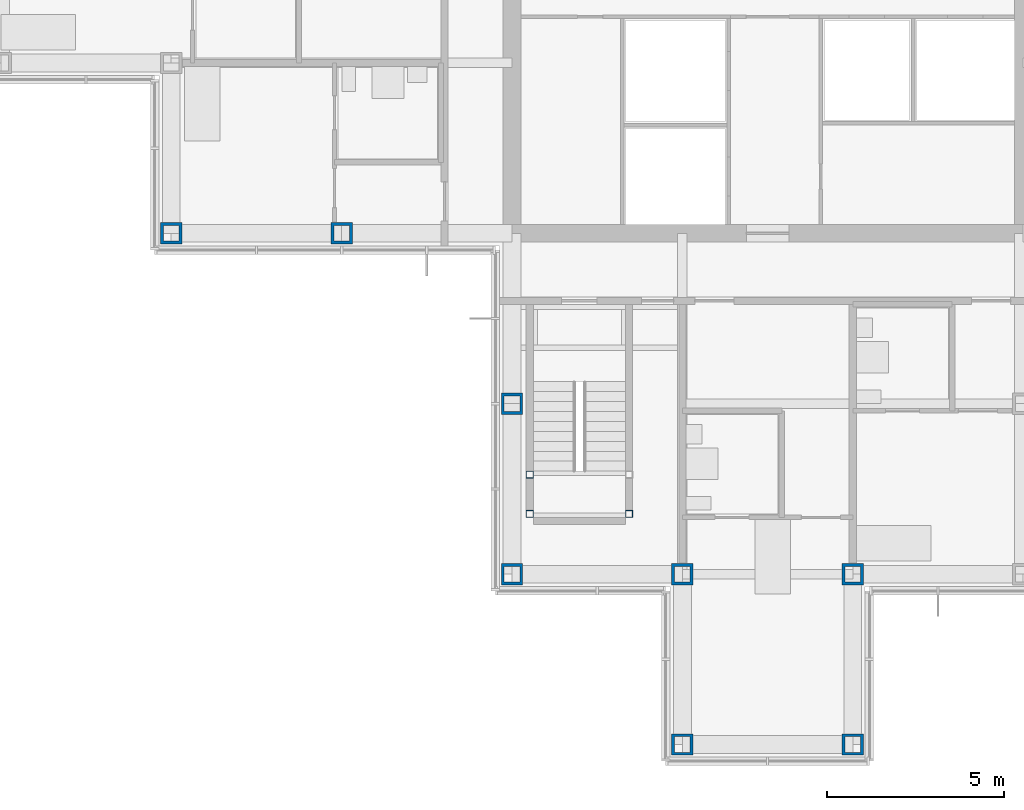
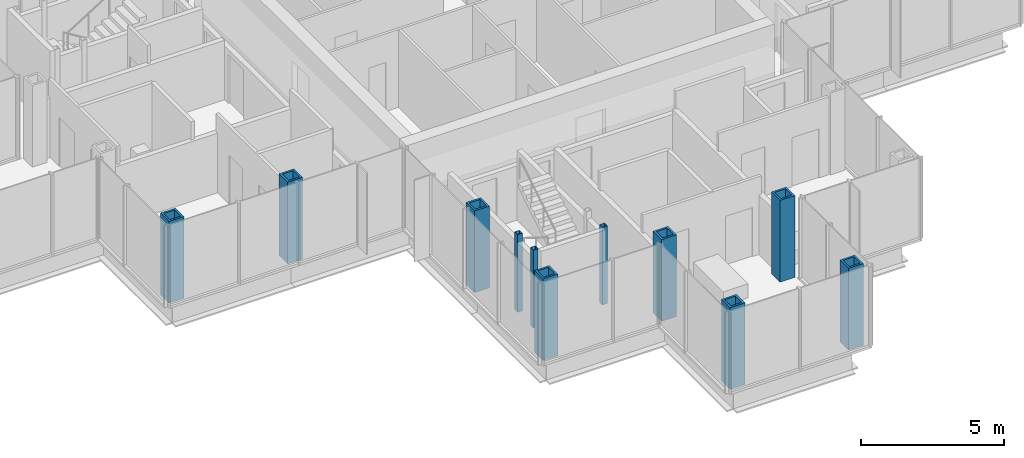
# One storey, part 1 of 17: 11 columns.
"""IFC4 building model written with IfcOpenShell, lengths in metres."""

import ifcopenshell
import ifcopenshell.guid

model = None  # the IFC model being written
_history = None  # IfcOwnerHistory: only IFC2X3 demands one
_inside = {}  # id of a spatial element -> (the spatial element, [elements in it])
_under = {}  # id of a project, library or spatial element -> (it, [spatial elements below it])
_declared = {}  # id of a project -> (the project, [libraries it declares])
_typed = {}  # id of a type object -> (the type object, [elements of that type])
_made_of = {}  # id of a material, layer set ... -> (it, [elements and type objects made of it])


def new_model(schema):
    """Start an empty IFC model of exactly this schema.

    Asked for "IFC4X3", IfcOpenShell would pick the latest addendum, in which some entities
    have other attributes; the version numbers below select the first issue.
    IFC2X3 requires an IfcOwnerHistory on every rooted entity: one is made here for all.
    """
    global model, _history
    if schema == "IFC4X3":
        model = ifcopenshell.file(schema_version=(4, 3, 0, 0))
    else:
        model = ifcopenshell.file(schema=schema)
    _inside.clear()
    _under.clear()
    _declared.clear()
    _typed.clear()
    _made_of.clear()
    _history = None
    if model.schema == "IFC2X3":
        org = make("IfcOrganization", Name="unknown")
        user = make(
            "IfcPersonAndOrganization",
            ThePerson=make("IfcPerson", FamilyName="unknown"),
            TheOrganization=org,
        )
        app = make(
            "IfcApplication",
            ApplicationDeveloper=org,
            Version="unknown",
            ApplicationFullName="unknown",
            ApplicationIdentifier="unknown",
        )
        _history = make(
            "IfcOwnerHistory",
            OwningUser=user,
            OwningApplication=app,
            ChangeAction="ADDED",
            CreationDate=0,
        )
    return model


def make(cls, **values):
    """One entity of the class cls with the attributes given. An attribute that is None is left unset."""
    return model.create_entity(
        cls, **{name: value for name, value in values.items() if value is not None}
    )


def rooted(cls, **values):
    """An entity with a GlobalId (a new one), such as an element, a storey or a relation."""
    return make(cls, GlobalId=ifcopenshell.guid.new(), OwnerHistory=_history, **values)


def si_unit(unit_type, name, prefix=None):
    """IfcSIUnit, for example si_unit("LENGTHUNIT", "METRE", prefix="MILLI")."""
    return make("IfcSIUnit", UnitType=unit_type, Prefix=prefix, Name=name)


def assignment(units):
    """IfcUnitAssignment: the units of a project."""
    return None if units is None else make("IfcUnitAssignment", Units=units)


def point(xyz):
    """IfcCartesianPoint."""
    return None if xyz is None else make("IfcCartesianPoint", Coordinates=xyz)


def direction(xyz):
    """IfcDirection."""
    return None if xyz is None else make("IfcDirection", DirectionRatios=xyz)


def frame(location, z_axis=None, x_axis=None):
    """IfcAxis2Placement3D, a coordinate frame: its origin and axes. An axis left out is left unset."""
    return make(
        "IfcAxis2Placement3D",
        Location=point(location),
        Axis=direction(z_axis),
        RefDirection=direction(x_axis),
    )


def frame_2d(location, x_axis=None):
    """IfcAxis2Placement2D, a coordinate frame in the plane: its origin and x axis."""
    return make(
        "IfcAxis2Placement2D", Location=point(location), RefDirection=direction(x_axis)
    )


def origin():
    """The frame at (0, 0, 0) with its axes left unset."""
    return frame((0.0, 0.0, 0.0))


def origin_2d():
    """The frame at (0, 0) in the plane with its x axis left unset."""
    return frame_2d((0.0, 0.0))


def place(relative_to, where):
    """IfcLocalPlacement: puts the frame where relative to a parent placement (None: the world)."""
    return make(
        "IfcLocalPlacement", PlacementRelTo=relative_to, RelativePlacement=where
    )


def context(
    kind, dimensions, precision=None, world=None, true_north=None, identifier=None
):
    """IfcGeometricRepresentationContext, for example the 3D "Model" context."""
    return make(
        "IfcGeometricRepresentationContext",
        ContextIdentifier=identifier,
        ContextType=kind,
        CoordinateSpaceDimension=dimensions,
        Precision=precision,
        WorldCoordinateSystem=world,
        TrueNorth=true_north,
    )


def subcontext(parent, identifier, kind, view, scale=None):
    """IfcGeometricRepresentationSubContext, for example "Body" below "Model"."""
    return make(
        "IfcGeometricRepresentationSubContext",
        ContextIdentifier=identifier,
        ContextType=kind,
        ParentContext=parent,
        TargetScale=scale,
        TargetView=view,
    )


def project(units=None, contexts=None):
    """IfcProject with its units and contexts."""
    return rooted(
        "IfcProject",
        Name="project",
        RepresentationContexts=contexts,
        UnitsInContext=assignment(units),
    )


def spatial(cls, under=None, at=None, **own):
    """A site, building, storey or space (cls), placed at a placement, below another one or the project."""
    s = rooted(cls, ObjectPlacement=at, **own)
    if under is not None:
        _under.setdefault(under.id(), (under, []))[1].append(s)
    return s


def profile(cls, at=None, kind="AREA", **sizes):
    """A parametric profile (cls). Its sizes go by their IFC names, for example OverallWidth=200.0."""
    return make(cls, ProfileType=kind, Position=at, **sizes)


def hollow_rectangle(**sizes):
    """IfcRectangleHollowProfileDef."""
    return profile("IfcRectangleHollowProfileDef", **sizes)


def extrude(swept, where, along, depth):
    """IfcExtrudedAreaSolid: the profile swept, set in the frame where, extruded along a direction by depth."""
    return make(
        "IfcExtrudedAreaSolid",
        SweptArea=swept,
        Position=where,
        ExtrudedDirection=direction(along),
        Depth=depth,
    )


def shape(context_of_items, identifier, shape_type, items):
    """IfcShapeRepresentation: the items that make up one representation, for example the "Body"."""
    return make(
        "IfcShapeRepresentation",
        ContextOfItems=context_of_items,
        RepresentationIdentifier=identifier,
        RepresentationType=shape_type,
        Items=items,
    )


def material(Name=None, Category=None):
    """IfcMaterial."""
    return make("IfcMaterial", Name=Name, Category=Category)


def material_profile(
    of_material, cross_section, Name=None, Category=None, Priority=None
):
    """IfcMaterialProfile: a cross section and its material."""
    return make(
        "IfcMaterialProfile",
        Name=Name,
        Material=of_material,
        Profile=cross_section,
        Priority=Priority,
        Category=Category,
    )


def profile_set(profiles, Name=None, composite=None):
    """IfcMaterialProfileSet."""
    return make(
        "IfcMaterialProfileSet",
        Name=Name,
        MaterialProfiles=profiles,
        CompositeProfile=composite,
    )


def made_of(thing, what):
    """Note that an element or type object is made of a material, layer set ...; save() writes the relation."""
    if what is not None:
        _made_of.setdefault(what.id(), (what, []))[1].append(thing)
    return thing


def type_object(cls, material=None, **own):
    """A type object (cls), such as IfcWallType, which elements share."""
    return made_of(rooted(cls, **own), material)


def element(
    cls,
    number,
    at=None,
    inside=None,
    cuts=None,
    type_object=None,
    material=None,
    context=None,
    identifier="Body",
    shape_type=None,
    held_by="IfcProductDefinitionShape",
    body=None,
    shapes=None,
    **own,
):
    """One element of the class cls, such as IfcWall. Its Tag is "e" and its number.

    at: its placement. inside: the storey or other place that contains it. cuts: it is an
    opening in that element (IfcRelVoidsElement). A single representation is given by context,
    identifier, shape_type and body (its items); several are given by shapes. held_by: the class
    of the entity that holds the representations. save() writes the other relations.
    """
    e = rooted(cls, Tag="e%d" % number, ObjectPlacement=at, **own)
    if body is not None:
        shapes = [shape(context, identifier, shape_type, body)]
    if shapes is not None:
        e.Representation = make(held_by, Representations=shapes)
    if inside is not None:
        _inside.setdefault(inside.id(), (inside, []))[1].append(e)
    if cuts is not None:
        rooted(
            "IfcRelVoidsElement", RelatingBuildingElement=cuts, RelatedOpeningElement=e
        )
    if type_object is not None:
        _typed.setdefault(type_object.id(), (type_object, []))[1].append(e)
    return made_of(e, material)


def aggregate(whole, parts):
    """IfcRelAggregates: a whole, such as a stair, and the parts it consists of."""
    return rooted("IfcRelAggregates", RelatingObject=whole, RelatedObjects=parts)


def save(model, path):
    """Write the relations noted so far, then the file.

    IfcRelAggregates (storeys below a building ...), IfcRelContainedInSpatialStructure (elements
    in a storey), IfcRelDefinesByType, IfcRelAssociatesMaterial and IfcRelDeclares: one each for
    every whole, place, type object, material and project.
    """
    for whole, parts in _under.values():
        aggregate(whole, parts)
    for where, things in _inside.values():
        rooted(
            "IfcRelContainedInSpatialStructure",
            RelatedElements=things,
            RelatingStructure=where,
        )
    for kind, things in _typed.values():
        rooted("IfcRelDefinesByType", RelatedObjects=things, RelatingType=kind)
    for what, things in _made_of.values():
        rooted("IfcRelAssociatesMaterial", RelatedObjects=things, RelatingMaterial=what)
    for by, libraries in _declared.values():
        rooted("IfcRelDeclares", RelatingContext=by, RelatedDefinitions=libraries)
    model.write(path)


model = new_model("IFC4")

# Units and contexts
model_context = context("Model", 3, precision=1e-05, world=origin(), true_north=direction((0.0, 1.0)))
body_context = subcontext(model_context, "Body", "Model", "MODEL_VIEW")
ifc_project = project(units=[si_unit("LENGTHUNIT", "METRE"), si_unit("AREAUNIT", "SQUARE_METRE"), si_unit("VOLUMEUNIT", "CUBIC_METRE"), si_unit("PLANEANGLEUNIT", "RADIAN"), si_unit("MASSUNIT", "GRAM", prefix="KILO")], contexts=[model_context])

# Site, building, storey
site_placement = place(None, origin())
site = spatial("IfcSite", under=ifc_project, at=site_placement, CompositionType="ELEMENT")
building_placement = place(site_placement, origin())
building = spatial("IfcBuilding", under=site, at=building_placement, Name="Kvirike Care Tower", CompositionType="ELEMENT")
storey_placement = place(building_placement, frame((0.0, 0.0, 179.5)))
storey = spatial("IfcBuildingStorey", under=building, at=storey_placement, Name="L49", CompositionType="ELEMENT", Elevation=179.5)

# Columns
ifc_material_1 = material(Name="Steel S460", Category="steel")
ifc_material_profile_1 = material_profile(ifc_material_1, hollow_rectangle(XDim=0.60009765625, YDim=0.60009765625, WallThickness=0.080078125, at=origin_2d()), Name="BX 600x600x80")
ifc_profile_set_1 = profile_set([ifc_material_profile_1], Name="Steel S460")
column_type_1 = type_object("IfcColumnType", Name="COLUMN BX 600x600x80", PredefinedType="COLUMN", material=ifc_profile_set_1)
for number, where, z_axis, x_axis, name in (
    (1, (4.800048828125, 28.800048828125, 0.0), (0.0, 0.0, 1.0), (0.0, 1.0, 0.0), "Column G4 L49"),
    (2, (9.60009765625, 28.800048828125, 0.0), (0.0, 0.0, 1.0), (0.0, 1.0, 0.0), "Column G5 L49"),
    (3, (14.39990234375, 19.199951171875, 0.0), (0.0, 0.0, 1.0), (0.0, 1.0, 0.0), "Column E6 L49"),
    (4, (14.39990234375, 24.0, 0.0), (0.0, 0.0, 1.0), (1.0, 0.0, 0.0), "Column F6 L49"),
    (5, (19.199951171875, 14.39990234375, 0.0), (0.0, 0.0, 1.0), (0.0, 1.0, 0.0), "Column D7 L49"),
    (6, (19.199951171875, 19.199951171875, 0.0), (0.0, 0.0, 1.0), (0.0, 1.0, 0.0), "Column E7 L49"),
    (7, (24.0, 14.39990234375, 0.0), (0.0, 0.0, 1.0), (0.0, 1.0, 0.0), "Column D8 L49"),
    (8, (24.0, 19.199951171875, 0.0), (0.0, 0.0, 1.0), (0.0, 1.0, 0.0), "Column E8 L49"),
):
    element("IfcColumn", number, at=place(storey_placement, frame(where, z_axis=z_axis, x_axis=x_axis)), inside=storey, type_object=column_type_1, Name=name, PredefinedType="COLUMN", context=body_context, shape_type="SweptSolid", body=[
        extrude(hollow_rectangle(XDim=0.60009765625, YDim=0.60009765625, WallThickness=0.080078125, at=origin_2d()), origin(), (0.0, 0.0, 1.0), 3.5),
    ])
ifc_material_2 = material(Name="Steel S460", Category="steel")
ifc_material_profile_2 = material_profile(ifc_material_2, hollow_rectangle(XDim=0.199951171875, YDim=0.199951171875, WallThickness=0.008056640625, at=origin_2d()), Name="SHS 200x200x8")
ifc_profile_set_2 = profile_set([ifc_material_profile_2], Name="Steel S460")
column_type_2 = type_object("IfcColumnType", Name="STAIR POST SHS 200x200x8", PredefinedType="COLUMN", material=ifc_profile_set_2)
for number, where, z_axis, x_axis, name in (
    (9, (14.89990234375, 20.89990234375, 0.0), (0.0, 0.0, 1.0), (1.0, 0.0, 0.0), "Stair 5 post 1 L49"),
    (10, (17.699951171875, 20.89990234375, 0.0), (0.0, 0.0, 1.0), (1.0, 0.0, 0.0), "Stair 5 post 2 L49"),
    (11, (14.89990234375, 22.0, 0.0), (0.0, 0.0, 1.0), (1.0, 0.0, 0.0), "Stair 5 post 3 L49"),
):
    element("IfcColumn", number, at=place(storey_placement, frame(where, z_axis=z_axis, x_axis=x_axis)), inside=storey, type_object=column_type_2, Name=name, PredefinedType="COLUMN", context=body_context, shape_type="SweptSolid", body=[
        extrude(hollow_rectangle(XDim=0.199951171875, YDim=0.199951171875, WallThickness=0.008056640625, at=origin_2d()), origin(), (0.0, 0.0, 1.0), 3.330078125),
    ])

save(model, "model.ifc")
